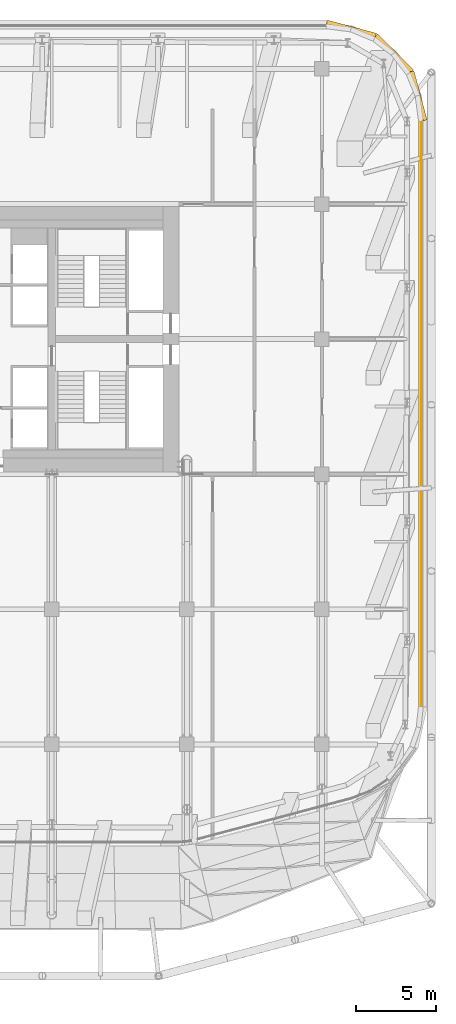
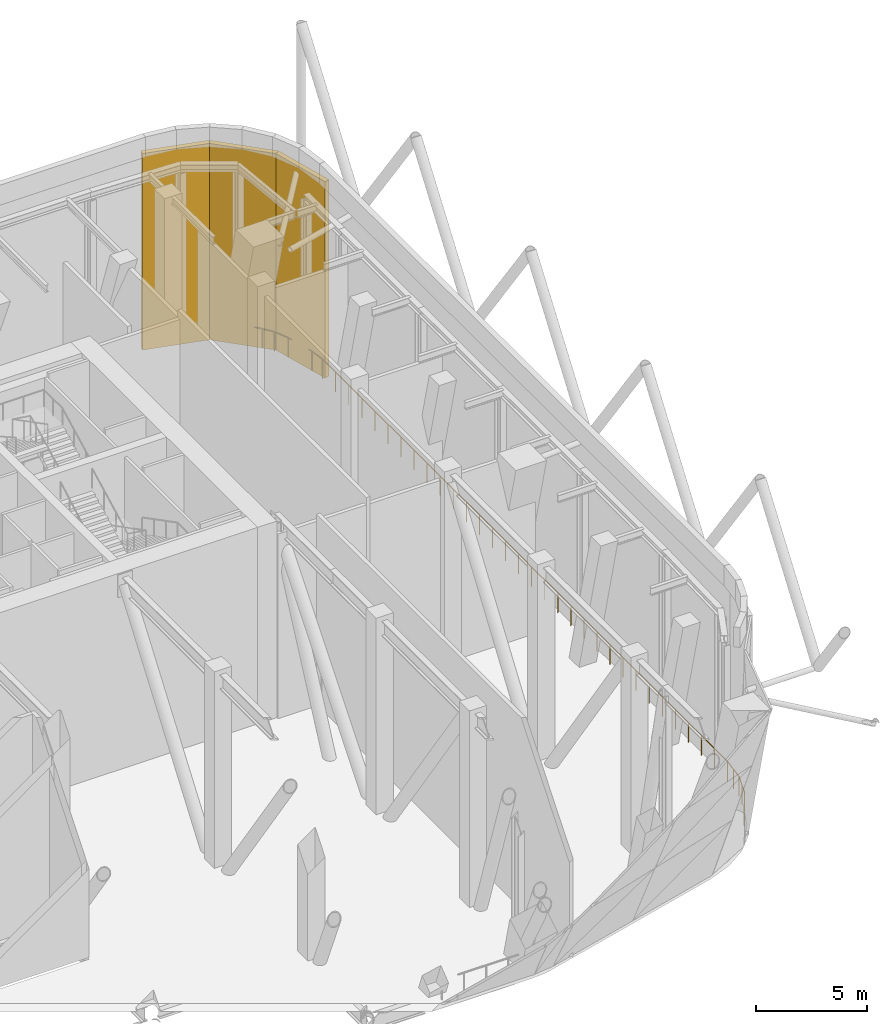
# One storey, part 20 of 20: 3 shading devices, 1 railing.
"""IFC4 building model written with IfcOpenShell, lengths in metres."""

from ifc_helpers import new_model, si_unit, direction, frame, frame_2d, origin, origin_2d, place, context, subcontext, project, spatial, rectangle, circle, extrude, material, layer, layer_set, type_object, element, save


model = new_model("IFC4")

# Units and contexts
model_context = context("Model", 3, precision=1e-05, world=origin(), true_north=direction((0.0, 1.0)))
body_context = subcontext(model_context, "Body", "Model", "MODEL_VIEW")
ifc_project = project(units=[si_unit("LENGTHUNIT", "METRE"), si_unit("AREAUNIT", "SQUARE_METRE"), si_unit("VOLUMEUNIT", "CUBIC_METRE"), si_unit("PLANEANGLEUNIT", "RADIAN"), si_unit("MASSUNIT", "GRAM", prefix="KILO")], contexts=[model_context])

# Site, building, storey
site_placement = place(None, origin())
site = spatial("IfcSite", under=ifc_project, at=site_placement, CompositionType="ELEMENT")
building_placement = place(site_placement, origin())
building = spatial("IfcBuilding", under=site, at=building_placement, Name="Marenta Gate Hotel Tower", CompositionType="ELEMENT")
storey_placement = place(building_placement, frame((0.0, 0.0, 169.699951171875)))
storey = spatial("IfcBuildingStorey", under=building, at=storey_placement, Name="L40", CompositionType="ELEMENT", Elevation=169.699951171875)

# Railing
ifc_material_1 = material(Name="Stainless steel", Category="steel")
railing_type = type_object("IfcRailingType", Name="Guard 1100 stainless balustrade", PredefinedType="GUARDRAIL", material=ifc_material_1)
railing_placement = place(storey_placement, frame((25.655517578125, 25.8984375, 0.0)))
element("IfcRailing", 1, at=railing_placement, inside=storey, type_object=railing_type, Name="Guard", PredefinedType="GUARDRAIL", context=body_context, shape_type="SweptSolid", body=[
    extrude(circle(Radius=0.02392578125, at=origin_2d()), frame((0.0, 0.0, 1.076171875), z_axis=(0.608753749501, -0.793359232926, 0.0), x_axis=(0.793359232926, 0.608753749501, 0.0)), (0.0, 0.0, 1.0), 1.208740234375),
    extrude(circle(Radius=0.02392578125, at=origin_2d()), frame((0.73583984375, -0.958984375, 1.076171875), z_axis=(0.382717053503, -0.923865605463, 0.0), x_axis=(0.923865605463, 0.382717053503, 0.0)), (0.0, 0.0, 1.0), 1.534912109375),
    extrude(circle(Radius=0.02392578125, at=origin_2d()), frame((1.3232421875, -2.376953125, 1.076171875), z_axis=(0.130421757725, -0.99145860484, 0.0), x_axis=(0.99145860484, 0.130421757725, 0.0)), (0.0, 0.0, 1.0), 1.54248046875),
    extrude(circle(Radius=0.02392578125, at=origin_2d()), frame((1.5244140625, -3.90625, 1.076171875), z_axis=(0.0, -1.0, 0.0), x_axis=(1.0, 0.0, 0.0)), (0.0, 0.0, 1.0), 36.469970703125),
    extrude(circle(Radius=0.02392578125, at=origin_2d()), frame((1.5244140625, -40.376220703125, 1.076171875), z_axis=(-0.109100928002, -0.994030677348, 0.0), x_axis=(0.994030677348, -0.109100928002, 0.0)), (0.0, 0.0, 1.0), 1.2890625),
    extrude(circle(Radius=0.02392578125, at=origin_2d()), frame((1.3837890625, -41.657470703125, 1.076171875), z_axis=(-0.321875433542, -0.946782026278, 0.0), x_axis=(0.946782026278, -0.321875433542, 0.0)), (0.0, 0.0, 1.0), 1.28271484375),
    extrude(circle(Radius=0.02392578125, at=origin_2d()), frame((0.970947265625, -42.871826171875, 1.076171875), z_axis=(-0.519739531713, -0.854324773827, 0.0), x_axis=(0.854324773827, -0.519739531713, 0.0)), (0.0, 0.0, 1.0), 1.045654296875),
    extrude(circle(Radius=0.02099609375, at=origin_2d()), origin(), (0.0, 0.0, 1.0), 1.052001953125),
    extrude(circle(Radius=0.02099609375, at=origin_2d()), frame((0.367919921875, -0.4794921875, 0.0)), (0.0, 0.0, 1.0), 1.052001953125),
    extrude(circle(Radius=0.02099609375, at=origin_2d()), frame((0.73583984375, -0.958984375, 0.0)), (0.0, 0.0, 1.0), 1.052001953125),
    extrude(circle(Radius=0.02099609375, at=origin_2d()), frame((1.029541015625, -1.66796875, 0.0)), (0.0, 0.0, 1.0), 1.052001953125),
    extrude(circle(Radius=0.02099609375, at=origin_2d()), frame((1.3232421875, -2.376953125, 0.0)), (0.0, 0.0, 1.0), 1.052001953125),
    extrude(circle(Radius=0.02099609375, at=origin_2d()), frame((1.423828125, -3.1416015625, 0.0)), (0.0, 0.0, 1.0), 1.052001953125),
    extrude(circle(Radius=0.02099609375, at=origin_2d()), frame((1.5244140625, -3.90625, 0.0)), (0.0, 0.0, 1.0), 1.052001953125),
    extrude(circle(Radius=0.02099609375, at=origin_2d()), frame((1.5244140625, -5.082763671875, 0.0)), (0.0, 0.0, 1.0), 1.052001953125),
    extrude(circle(Radius=0.02099609375, at=origin_2d()), frame((1.5244140625, -6.259033203125, 0.0)), (0.0, 0.0, 1.0), 1.052001953125),
    extrude(circle(Radius=0.02099609375, at=origin_2d()), frame((1.5244140625, -7.435546875, 0.0)), (0.0, 0.0, 1.0), 1.052001953125),
    extrude(circle(Radius=0.02099609375, at=origin_2d()), frame((1.5244140625, -8.612060546875, 0.0)), (0.0, 0.0, 1.0), 1.052001953125),
    extrude(circle(Radius=0.02099609375, at=origin_2d()), frame((1.5244140625, -9.78857421875, 0.0)), (0.0, 0.0, 1.0), 1.052001953125),
    extrude(circle(Radius=0.02099609375, at=origin_2d()), frame((1.5244140625, -10.96484375, 0.0)), (0.0, 0.0, 1.0), 1.052001953125),
    extrude(circle(Radius=0.02099609375, at=origin_2d()), frame((1.5244140625, -12.141357421875, 0.0)), (0.0, 0.0, 1.0), 1.052001953125),
    extrude(circle(Radius=0.02099609375, at=origin_2d()), frame((1.5244140625, -13.31787109375, 0.0)), (0.0, 0.0, 1.0), 1.052001953125),
    extrude(circle(Radius=0.02099609375, at=origin_2d()), frame((1.5244140625, -14.494384765625, 0.0)), (0.0, 0.0, 1.0), 1.052001953125),
    extrude(circle(Radius=0.02099609375, at=origin_2d()), frame((1.5244140625, -15.670654296875, 0.0)), (0.0, 0.0, 1.0), 1.052001953125),
    extrude(circle(Radius=0.02099609375, at=origin_2d()), frame((1.5244140625, -16.84716796875, 0.0)), (0.0, 0.0, 1.0), 1.052001953125),
    extrude(circle(Radius=0.02099609375, at=origin_2d()), frame((1.5244140625, -18.023681640625, 0.0)), (0.0, 0.0, 1.0), 1.052001953125),
    extrude(circle(Radius=0.02099609375, at=origin_2d()), frame((1.5244140625, -19.2001953125, 0.0)), (0.0, 0.0, 1.0), 1.052001953125),
    extrude(circle(Radius=0.02099609375, at=origin_2d()), frame((1.5244140625, -20.37646484375, 0.0)), (0.0, 0.0, 1.0), 1.052001953125),
    extrude(circle(Radius=0.02099609375, at=origin_2d()), frame((1.5244140625, -21.552978515625, 0.0)), (0.0, 0.0, 1.0), 1.052001953125),
    extrude(circle(Radius=0.02099609375, at=origin_2d()), frame((1.5244140625, -22.7294921875, 0.0)), (0.0, 0.0, 1.0), 1.052001953125),
    extrude(circle(Radius=0.02099609375, at=origin_2d()), frame((1.5244140625, -23.906005859375, 0.0)), (0.0, 0.0, 1.0), 1.052001953125),
    extrude(circle(Radius=0.02099609375, at=origin_2d()), frame((1.5244140625, -25.082275390625, 0.0)), (0.0, 0.0, 1.0), 1.052001953125),
    extrude(circle(Radius=0.02099609375, at=origin_2d()), frame((1.5244140625, -26.2587890625, 0.0)), (0.0, 0.0, 1.0), 1.052001953125),
    extrude(circle(Radius=0.02099609375, at=origin_2d()), frame((1.5244140625, -27.435302734375, 0.0)), (0.0, 0.0, 1.0), 1.052001953125),
    extrude(circle(Radius=0.02099609375, at=origin_2d()), frame((1.5244140625, -28.61181640625, 0.0)), (0.0, 0.0, 1.0), 1.052001953125),
    extrude(circle(Radius=0.02099609375, at=origin_2d()), frame((1.5244140625, -29.7880859375, 0.0)), (0.0, 0.0, 1.0), 1.052001953125),
    extrude(circle(Radius=0.02099609375, at=origin_2d()), frame((1.5244140625, -30.964599609375, 0.0)), (0.0, 0.0, 1.0), 1.052001953125),
    extrude(circle(Radius=0.02099609375, at=origin_2d()), frame((1.5244140625, -32.14111328125, 0.0)), (0.0, 0.0, 1.0), 1.052001953125),
    extrude(circle(Radius=0.02099609375, at=origin_2d()), frame((1.5244140625, -33.317626953125, 0.0)), (0.0, 0.0, 1.0), 1.052001953125),
    extrude(circle(Radius=0.02099609375, at=origin_2d()), frame((1.5244140625, -34.493896484375, 0.0)), (0.0, 0.0, 1.0), 1.052001953125),
    extrude(circle(Radius=0.02099609375, at=origin_2d()), frame((1.5244140625, -35.67041015625, 0.0)), (0.0, 0.0, 1.0), 1.052001953125),
    extrude(circle(Radius=0.02099609375, at=origin_2d()), frame((1.5244140625, -36.846923828125, 0.0)), (0.0, 0.0, 1.0), 1.052001953125),
    extrude(circle(Radius=0.02099609375, at=origin_2d()), frame((1.5244140625, -38.0234375, 0.0)), (0.0, 0.0, 1.0), 1.052001953125),
    extrude(circle(Radius=0.02099609375, at=origin_2d()), frame((1.5244140625, -39.19970703125, 0.0)), (0.0, 0.0, 1.0), 1.052001953125),
    extrude(circle(Radius=0.02099609375, at=origin_2d()), frame((1.5244140625, -40.376220703125, 0.0)), (0.0, 0.0, 1.0), 1.052001953125),
    extrude(circle(Radius=0.02099609375, at=origin_2d()), frame((1.4541015625, -41.016845703125, 0.0)), (0.0, 0.0, 1.0), 1.052001953125),
    extrude(circle(Radius=0.02099609375, at=origin_2d()), frame((1.3837890625, -41.657470703125, 0.0)), (0.0, 0.0, 1.0), 1.052001953125),
    extrude(circle(Radius=0.02099609375, at=origin_2d()), frame((1.17724609375, -42.2646484375, 0.0)), (0.0, 0.0, 1.0), 1.052001953125),
    extrude(circle(Radius=0.02099609375, at=origin_2d()), frame((0.970947265625, -42.871826171875, 0.0)), (0.0, 0.0, 1.0), 1.052001953125),
    extrude(circle(Radius=0.02099609375, at=origin_2d()), frame((0.427490234375, -43.76513671875, 0.0)), (0.0, 0.0, 1.0), 1.052001953125),
])

# Shading devices
ifc_material_2 = material(Name="Bronze anodised aluminium louvre", Category="aluminium")
ifc_layer = layer(ifc_material_2, 0.25)
ifc_layer_set = layer_set([ifc_layer], Name="Bronze anodised aluminium louvre")
shading_device_type = type_object("IfcShadingDeviceType", Name="Louvred plant screen 250 mm", PredefinedType="JALOUSIE", material=ifc_layer_set)
shading_device_1_placement = place(storey_placement, frame((27.419677734375, 22.0078125, 0.0), z_axis=(0.0, 0.0, 1.0), x_axis=(-0.259330689812, 0.965788586245, 0.0)))
element("IfcShadingDevice", 2, at=shading_device_1_placement, inside=storey, type_object=shading_device_type, Name="Louvred plant screen", PredefinedType="JALOUSIE", context=body_context, shape_type="SweptSolid", body=[
    extrude(rectangle(XDim=3.160400390625, YDim=0.25, at=frame_2d((1.580078125, 0.0))), origin(), (0.0, 0.0, 1.0), 10.800048828125),
])
shading_device_2_placement = place(storey_placement, frame((26.60009765625, 25.06005859375, 0.0), z_axis=(0.0, 0.0, 1.0), x_axis=(-0.707106781187, 0.707106781187, 0.0)))
element("IfcShadingDevice", 3, at=shading_device_2_placement, inside=storey, type_object=shading_device_type, Name="Louvred plant screen", PredefinedType="JALOUSIE", context=body_context, shape_type="SweptSolid", body=[
    extrude(rectangle(XDim=3.167724609375, YDim=0.25, at=frame_2d((1.583984375, 0.0))), origin(), (0.0, 0.0, 1.0), 10.800048828125),
])
shading_device_3_placement = place(storey_placement, frame((24.360107421875, 27.300048828125, 0.0), z_axis=(0.0, 0.0, 1.0), x_axis=(-0.965788586245, 0.259330689812, 0.0)))
element("IfcShadingDevice", 4, at=shading_device_3_placement, inside=storey, type_object=shading_device_type, Name="Louvred plant screen", PredefinedType="JALOUSIE", context=body_context, shape_type="SweptSolid", body=[
    extrude(rectangle(XDim=3.160400390625, YDim=0.25, at=frame_2d((1.580078125, 0.0))), origin(), (0.0, 0.0, 1.0), 10.800048828125),
])

save(model, "model.ifc")
